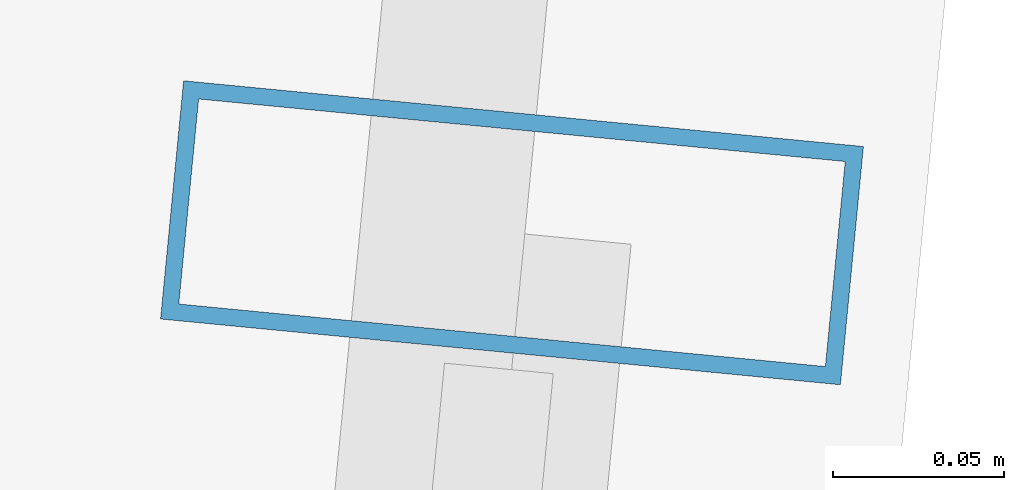
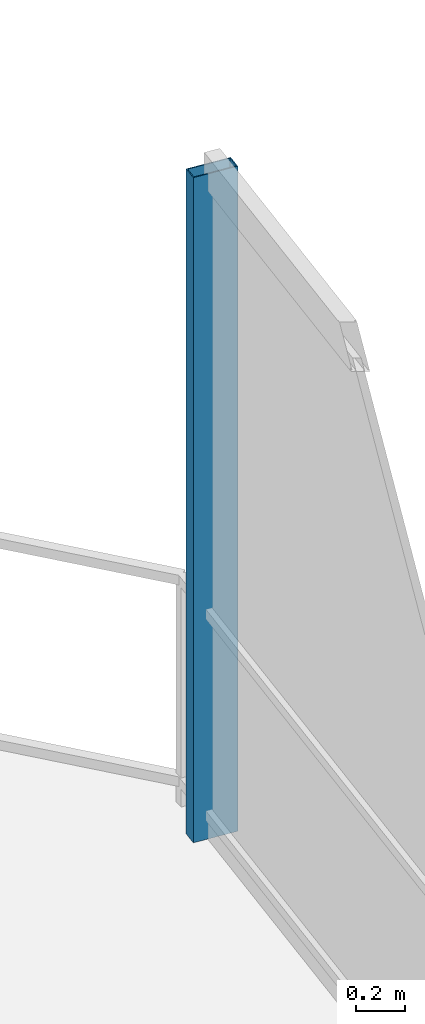
# One storey, part 15 of 21: 1 member, 1 element without a shape of its own.
"""IFC4 building model written with IfcOpenShell, lengths in metres."""

from ifc_helpers import new_model, si_unit, direction, frame, origin, origin_2d, place, context, subcontext, project, spatial, hollow_rectangle, extrude, material, layer, layer_set, material_profile, profile_set, type_object, element, aggregate, save


model = new_model("IFC4")

# Units and contexts
model_context = context("Model", 3, precision=1e-05, world=origin(), true_north=direction((0.0, 1.0)))
body_context = subcontext(model_context, "Body", "Model", "MODEL_VIEW")
ifc_project = project(units=[si_unit("LENGTHUNIT", "METRE"), si_unit("AREAUNIT", "SQUARE_METRE"), si_unit("VOLUMEUNIT", "CUBIC_METRE"), si_unit("PLANEANGLEUNIT", "RADIAN"), si_unit("MASSUNIT", "GRAM", prefix="KILO")], contexts=[model_context])

# Site, building, storey
site_placement = place(None, origin())
site = spatial("IfcSite", under=ifc_project, at=site_placement, CompositionType="ELEMENT")
building_placement = place(site_placement, origin())
building = spatial("IfcBuilding", under=site, at=building_placement, Name="Qarnah Convention Tower", CompositionType="ELEMENT")
storey_placement = place(building_placement, frame((0.0, 0.0, 158.10009765625)))
storey = spatial("IfcBuildingStorey", under=building, at=storey_placement, Name="L42", CompositionType="ELEMENT", Elevation=158.10009765625)

# Curtain wall, member
ifc_material_1 = material(Name="Tempered Low-E dark glass", Category="glass")
ifc_layer = layer(ifc_material_1, 0.172119140625)
ifc_layer_set = layer_set([ifc_layer], Name="Tempered Low-E dark glass")
curtain_wall_type = type_object("IfcCurtainWallType", Name="CWS-03", PredefinedType="NOTDEFINED", material=ifc_layer_set)
curtain_wall_placement = place(storey_placement, origin())
curtain_wall = element("IfcCurtainWall", 1, at=curtain_wall_placement, inside=storey, type_object=curtain_wall_type, Name="L42 unitised curtain wall CW-L42-F3", PredefinedType="NOTDEFINED")
ifc_material_2 = material(Name="Black anodised aluminium", Category="aluminium")
ifc_material_profile = material_profile(ifc_material_2, hollow_rectangle(XDim=0.070068359375, YDim=0.199951171875, WallThickness=0.0048828125, at=origin_2d()), Name="MUL-70X200")
ifc_profile_set = profile_set([ifc_material_profile], Name="Black anodised aluminium")
member_type = type_object("IfcMemberType", Name="MUL-T3", PredefinedType="MULLION", material=ifc_profile_set)
member_placement = place(storey_placement, frame((55.72802734375, 40.0458984375, 0.0), z_axis=(0.0, 0.0, 1.0), x_axis=(-0.096239589581, -0.995358197534, 0.0)))
member = element("IfcMember", 2, at=member_placement, type_object=member_type, Name="CW-L42-F3 mullion 1", PredefinedType="MULLION", context=body_context, shape_type="SweptSolid", body=[
    extrude(hollow_rectangle(XDim=0.070068359375, YDim=0.199951171875, WallThickness=0.0048828125, at=origin_2d()), origin(), (0.0, 0.0, 1.0), 3.31982421875),
])
aggregate(curtain_wall, [member])

save(model, "model.ifc")
